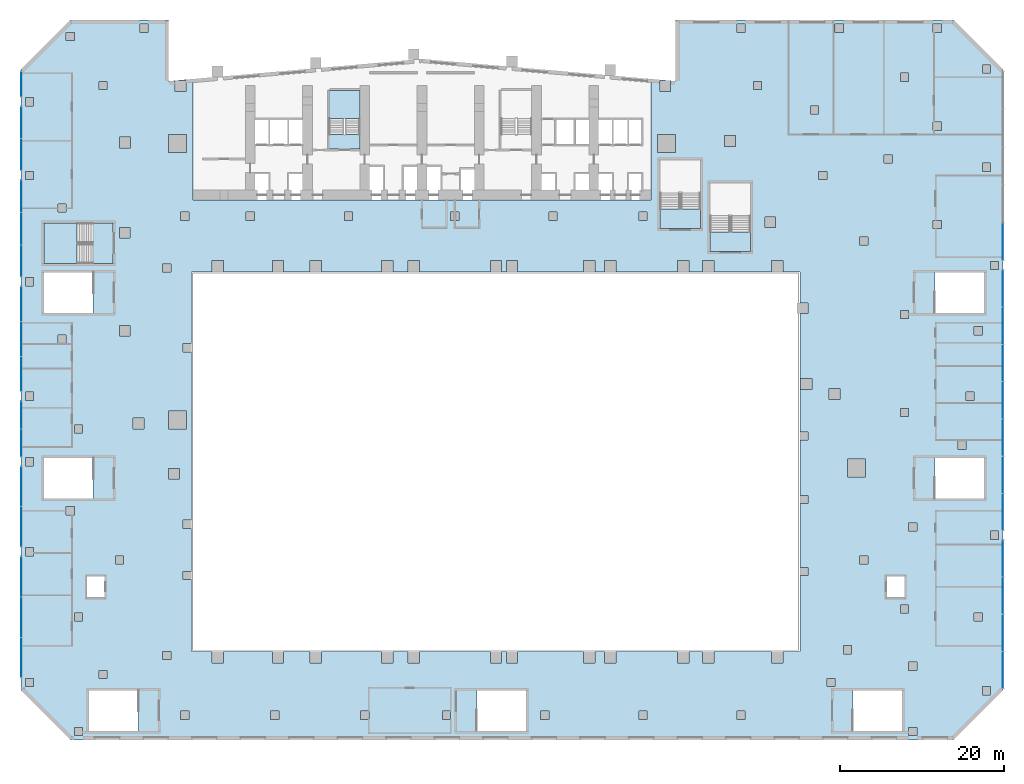
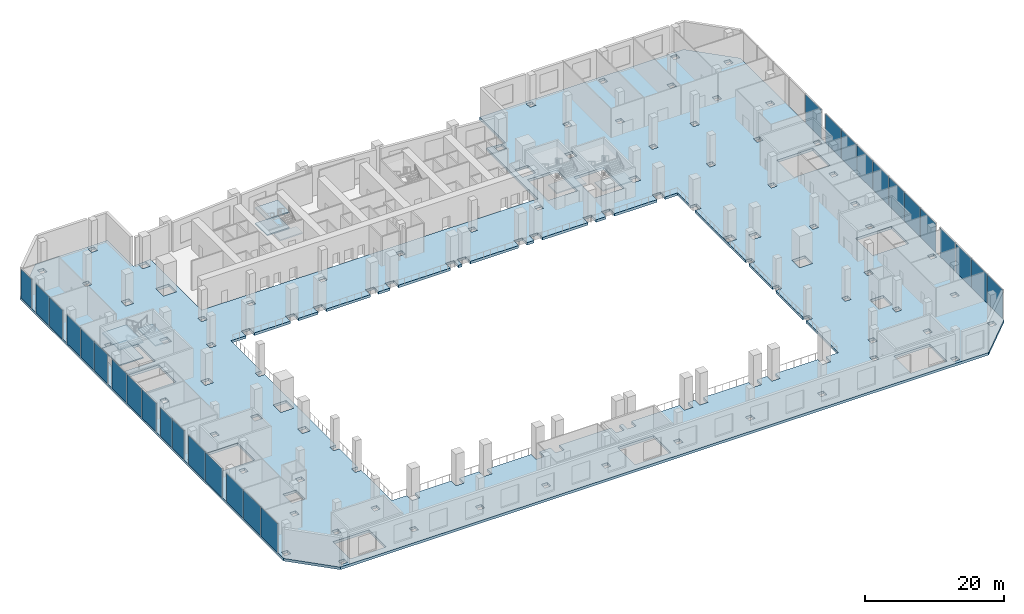
# One storey, part 8 of 25: 28 plates, 9 slabs, 14 elements without a shape of their own.
"""IFC4 building model written with IfcOpenShell, lengths in metres."""

from ifc_helpers import new_model, si_unit, direction, frame, origin, origin_2d, place, context, subcontext, project, spatial, polyline, rectangle, outline, extrude, material, layer, layer_set, type_object, element, aggregate, save


model = new_model("IFC4")

# Units and contexts
model_context = context("Model", 3, precision=1e-05, world=origin(), true_north=direction((0.0, 1.0)))
body_context = subcontext(model_context, "Body", "Model", "MODEL_VIEW")
ifc_project = project(units=[si_unit("LENGTHUNIT", "METRE"), si_unit("AREAUNIT", "SQUARE_METRE"), si_unit("VOLUMEUNIT", "CUBIC_METRE"), si_unit("PLANEANGLEUNIT", "RADIAN"), si_unit("MASSUNIT", "GRAM", prefix="KILO")], contexts=[model_context])

# Site, building, storey
site_placement = place(None, origin())
site = spatial("IfcSite", under=ifc_project, at=site_placement, CompositionType="ELEMENT")
building_placement = place(site_placement, origin())
building = spatial("IfcBuilding", under=site, at=building_placement, Name="Wharfspan Tower", CompositionType="ELEMENT")
storey_placement = place(building_placement, frame((0.0, 0.0, 27.5)))
storey = spatial("IfcBuildingStorey", under=building, at=storey_placement, Name="L04", CompositionType="ELEMENT", Elevation=27.5)

# Curtain wall, plates
ifc_material_1 = material(Name="Aluminium 6063-T6", Category="aluminium")
curtain_wall_type = type_object("IfcCurtainWallType", Name="CURTAIN WALL ARENA STICK WALL", PredefinedType="NOTDEFINED", material=ifc_material_1)
curtain_wall_1_placement = place(storey_placement, origin())
curtain_wall_1 = element("IfcCurtainWall", 1, at=curtain_wall_1_placement, inside=storey, type_object=curtain_wall_type, Name="Concourse stick wall PF3.1", PredefinedType="NOTDEFINED")
ifc_material_2 = material(Name="Glass clear laminated double glazing", Category="glass")
ifc_layer_1 = layer(ifc_material_2, 0.040039)
ifc_layer_set_1 = layer_set([ifc_layer_1], Name="Glass clear laminated double glazing")
plate_type = type_object("IfcPlateType", Name="GLASS PANEL ARENA STICK WALL 40", PredefinedType="CURTAIN_PANEL", material=ifc_layer_set_1)
plate_1_placement = place(storey_placement, frame((108.0, -23.45752, 0.0), z_axis=(0.0, 0.0, 1.0), x_axis=(0.0, 1.0, 0.0)))
plate_1 = element("IfcPlate", 2, at=plate_1_placement, type_object=plate_type, Name="Concourse stick wall PF3.1 panel 1", PredefinedType="CURTAIN_PANEL", context=body_context, shape_type="SweptSolid", body=[
    extrude(rectangle(XDim=4.445068, YDim=0.040039, at=origin_2d()), origin(), (0.0, 0.0, 1.0), 5.110107),
])
plate_2_placement = place(storey_placement, frame((108.0, -18.925049, 0.0), z_axis=(0.0, 0.0, 1.0), x_axis=(0.0, 1.0, 0.0)))
plate_2 = element("IfcPlate", 3, at=plate_2_placement, type_object=plate_type, Name="Concourse stick wall PF3.1 panel 2", PredefinedType="CURTAIN_PANEL", context=body_context, shape_type="SweptSolid", body=[
    extrude(rectangle(XDim=4.47998, YDim=0.040039, at=origin_2d()), origin(), (0.0, 0.0, 1.0), 5.110107),
])
plate_3_placement = place(storey_placement, frame((108.0, -14.375, 0.0), z_axis=(0.0, 0.0, 1.0), x_axis=(0.0, 1.0, 0.0)))
plate_3 = element("IfcPlate", 4, at=plate_3_placement, type_object=plate_type, Name="Concourse stick wall PF3.1 panel 3", PredefinedType="CURTAIN_PANEL", context=body_context, shape_type="SweptSolid", body=[
    extrude(rectangle(XDim=4.47998, YDim=0.040039, at=origin_2d()), origin(), (0.0, 0.0, 1.0), 5.110107),
])
plate_4_placement = place(storey_placement, frame((108.0, -9.842529, 0.0), z_axis=(0.0, 0.0, 1.0), x_axis=(0.0, 1.0, 0.0)))
plate_4 = element("IfcPlate", 5, at=plate_4_placement, type_object=plate_type, Name="Concourse stick wall PF3.1 panel 4", PredefinedType="CURTAIN_PANEL", context=body_context, shape_type="SweptSolid", body=[
    extrude(rectangle(XDim=4.445068, YDim=0.040039, at=origin_2d()), origin(), (0.0, 0.0, 1.0), 5.110107),
])
aggregate(curtain_wall_1, [plate_1, plate_2, plate_3, plate_4])

curtain_wall_2_placement = place(storey_placement, origin())
curtain_wall_2 = element("IfcCurtainWall", 6, at=curtain_wall_2_placement, inside=storey, type_object=curtain_wall_type, Name="Concourse stick wall PF3.2", PredefinedType="NOTDEFINED")
plate_5_placement = place(storey_placement, frame((108.0, -4.153809, 0.0), z_axis=(0.0, 0.0, 1.0), x_axis=(0.0, 1.0, 0.0)))
plate_5 = element("IfcPlate", 7, at=plate_5_placement, type_object=plate_type, Name="Concourse stick wall PF3.2 panel 1", PredefinedType="CURTAIN_PANEL", context=body_context, shape_type="SweptSolid", body=[
    extrude(rectangle(XDim=4.452148, YDim=0.040039, at=origin_2d()), origin(), (0.0, 0.0, 1.0), 5.110107),
])
plate_6_placement = place(storey_placement, frame((108.0, 0.385742, 0.0), z_axis=(0.0, 0.0, 1.0), x_axis=(0.0, 1.0, 0.0)))
plate_6 = element("IfcPlate", 8, at=plate_6_placement, type_object=plate_type, Name="Concourse stick wall PF3.2 panel 2", PredefinedType="CURTAIN_PANEL", context=body_context, shape_type="SweptSolid", body=[
    extrude(rectangle(XDim=4.487061, YDim=0.040039, at=origin_2d()), origin(), (0.0, 0.0, 1.0), 5.110107),
])
plate_7_placement = place(storey_placement, frame((108.0, 4.942871, 0.0), z_axis=(0.0, 0.0, 1.0), x_axis=(0.0, 1.0, 0.0)))
plate_7 = element("IfcPlate", 9, at=plate_7_placement, type_object=plate_type, Name="Concourse stick wall PF3.2 panel 3", PredefinedType="CURTAIN_PANEL", context=body_context, shape_type="SweptSolid", body=[
    extrude(rectangle(XDim=4.487061, YDim=0.040039, at=origin_2d()), origin(), (0.0, 0.0, 1.0), 5.110107),
])
plate_8_placement = place(storey_placement, frame((108.0, 9.5, 0.0), z_axis=(0.0, 0.0, 1.0), x_axis=(0.0, 1.0, 0.0)))
plate_8 = element("IfcPlate", 10, at=plate_8_placement, type_object=plate_type, Name="Concourse stick wall PF3.2 panel 4", PredefinedType="CURTAIN_PANEL", context=body_context, shape_type="SweptSolid", body=[
    extrude(rectangle(XDim=4.487061, YDim=0.040039, at=origin_2d()), origin(), (0.0, 0.0, 1.0), 5.110107),
])
plate_9_placement = place(storey_placement, frame((108.0, 14.057129, 0.0), z_axis=(0.0, 0.0, 1.0), x_axis=(0.0, 1.0, 0.0)))
plate_9 = element("IfcPlate", 11, at=plate_9_placement, type_object=plate_type, Name="Concourse stick wall PF3.2 panel 5", PredefinedType="CURTAIN_PANEL", context=body_context, shape_type="SweptSolid", body=[
    extrude(rectangle(XDim=4.487061, YDim=0.040039, at=origin_2d()), origin(), (0.0, 0.0, 1.0), 5.110107),
])
plate_10_placement = place(storey_placement, frame((108.0, 18.614258, 0.0), z_axis=(0.0, 0.0, 1.0), x_axis=(0.0, 1.0, 0.0)))
plate_10 = element("IfcPlate", 12, at=plate_10_placement, type_object=plate_type, Name="Concourse stick wall PF3.2 panel 6", PredefinedType="CURTAIN_PANEL", context=body_context, shape_type="SweptSolid", body=[
    extrude(rectangle(XDim=4.487061, YDim=0.040039, at=origin_2d()), origin(), (0.0, 0.0, 1.0), 5.110107),
])
plate_11_placement = place(storey_placement, frame((108.0, 23.153809, 0.0), z_axis=(0.0, 0.0, 1.0), x_axis=(0.0, 1.0, 0.0)))
plate_11 = element("IfcPlate", 13, at=plate_11_placement, type_object=plate_type, Name="Concourse stick wall PF3.2 panel 7", PredefinedType="CURTAIN_PANEL", context=body_context, shape_type="SweptSolid", body=[
    extrude(rectangle(XDim=4.452148, YDim=0.040039, at=origin_2d()), origin(), (0.0, 0.0, 1.0), 5.110107),
])
aggregate(curtain_wall_2, [plate_5, plate_6, plate_7, plate_8, plate_9, plate_10, plate_11])

# Curtain wall, plate
curtain_wall_3_placement = place(storey_placement, origin())
curtain_wall_3 = element("IfcCurtainWall", 14, at=curtain_wall_3_placement, inside=storey, type_object=curtain_wall_type, Name="Concourse stick wall PF3.3", PredefinedType="NOTDEFINED")
plate_12_placement = place(storey_placement, frame((108.0, 28.887451, 0.0), z_axis=(0.0, 0.0, 1.0), x_axis=(0.0, 1.0, 0.0)))
plate_12 = element("IfcPlate", 15, at=plate_12_placement, type_object=plate_type, Name="Concourse stick wall PF3.3 panel 1", PredefinedType="CURTAIN_PANEL", context=body_context, shape_type="SweptSolid", body=[
    extrude(rectangle(XDim=4.534912, YDim=0.040039, at=origin_2d()), origin(), (0.0, 0.0, 1.0), 5.110107),
])
aggregate(curtain_wall_3, [plate_12])

curtain_wall_4_placement = place(storey_placement, origin())
curtain_wall_4 = element("IfcCurtainWall", 16, at=curtain_wall_4_placement, inside=storey, type_object=curtain_wall_type, Name="Concourse stick wall PF12.1", PredefinedType="NOTDEFINED")
plate_13_placement = place(storey_placement, frame((-12.0, 48.149902, 0.0), z_axis=(0.0, 0.0, 1.0), x_axis=(0.0, -1.0, 0.0)))
plate_13 = element("IfcPlate", 17, at=plate_13_placement, type_object=plate_type, Name="Concourse stick wall PF12.1 panel 1", PredefinedType="CURTAIN_PANEL", context=body_context, shape_type="SweptSolid", body=[
    extrude(rectangle(XDim=3.060059, YDim=0.040039, at=origin_2d()), origin(), (0.0, 0.0, 1.0), 5.110107),
])
aggregate(curtain_wall_4, [plate_13])

# Curtain wall, plates
curtain_wall_5_placement = place(storey_placement, origin())
curtain_wall_5 = element("IfcCurtainWall", 18, at=curtain_wall_5_placement, inside=storey, type_object=curtain_wall_type, Name="Concourse stick wall PF12.2", PredefinedType="NOTDEFINED")
plate_14_placement = place(storey_placement, frame((-12.0, 43.45752, 0.0), z_axis=(0.0, 0.0, 1.0), x_axis=(0.0, -1.0, 0.0)))
plate_14 = element("IfcPlate", 19, at=plate_14_placement, type_object=plate_type, Name="Concourse stick wall PF12.2 panel 1", PredefinedType="CURTAIN_PANEL", context=body_context, shape_type="SweptSolid", body=[
    extrude(rectangle(XDim=3.844971, YDim=0.040039, at=origin_2d()), origin(), (0.0, 0.0, 1.0), 5.110107),
])
plate_15_placement = place(storey_placement, frame((-12.0, 39.54248, 0.0), z_axis=(0.0, 0.0, 1.0), x_axis=(0.0, -1.0, 0.0)))
plate_15 = element("IfcPlate", 20, at=plate_15_placement, type_object=plate_type, Name="Concourse stick wall PF12.2 panel 2", PredefinedType="CURTAIN_PANEL", context=body_context, shape_type="SweptSolid", body=[
    extrude(rectangle(XDim=3.844971, YDim=0.040039, at=origin_2d()), origin(), (0.0, 0.0, 1.0), 5.110107),
])
aggregate(curtain_wall_5, [plate_14, plate_15])

curtain_wall_6_placement = place(storey_placement, origin())
curtain_wall_6 = element("IfcCurtainWall", 21, at=curtain_wall_6_placement, inside=storey, type_object=curtain_wall_type, Name="Concourse stick wall PF12.3", PredefinedType="NOTDEFINED")
plate_16_placement = place(storey_placement, frame((-12.0, 34.449219, 0.0), z_axis=(0.0, 0.0, 1.0), x_axis=(0.0, -1.0, 0.0)))
plate_16 = element("IfcPlate", 22, at=plate_16_placement, type_object=plate_type, Name="Concourse stick wall PF12.3 panel 1", PredefinedType="CURTAIN_PANEL", context=body_context, shape_type="SweptSolid", body=[
    extrude(rectangle(XDim=3.861572, YDim=0.040039, at=origin_2d()), origin(), (0.0, 0.0, 1.0), 5.110107),
])
plate_17_placement = place(storey_placement, frame((-12.0, 30.5, 0.0), z_axis=(0.0, 0.0, 1.0), x_axis=(0.0, -1.0, 0.0)))
plate_17 = element("IfcPlate", 23, at=plate_17_placement, type_object=plate_type, Name="Concourse stick wall PF12.3 panel 2", PredefinedType="CURTAIN_PANEL", context=body_context, shape_type="SweptSolid", body=[
    extrude(rectangle(XDim=3.896729, YDim=0.040039, at=origin_2d()), origin(), (0.0, 0.0, 1.0), 5.110107),
])
plate_18_placement = place(storey_placement, frame((-12.0, 26.550781, 0.0), z_axis=(0.0, 0.0, 1.0), x_axis=(0.0, -1.0, 0.0)))
plate_18 = element("IfcPlate", 24, at=plate_18_placement, type_object=plate_type, Name="Concourse stick wall PF12.3 panel 3", PredefinedType="CURTAIN_PANEL", context=body_context, shape_type="SweptSolid", body=[
    extrude(rectangle(XDim=3.861572, YDim=0.040039, at=origin_2d()), origin(), (0.0, 0.0, 1.0), 5.110107),
])
aggregate(curtain_wall_6, [plate_16, plate_17, plate_18])

curtain_wall_7_placement = place(storey_placement, origin())
curtain_wall_7 = element("IfcCurtainWall", 25, at=curtain_wall_7_placement, inside=storey, type_object=curtain_wall_type, Name="Concourse stick wall PF12.4", PredefinedType="NOTDEFINED")
plate_19_placement = place(storey_placement, frame((-12.0, 21.282471, 0.0), z_axis=(0.0, 0.0, 1.0), x_axis=(0.0, -1.0, 0.0)))
plate_19 = element("IfcPlate", 26, at=plate_19_placement, type_object=plate_type, Name="Concourse stick wall PF12.4 panel 1", PredefinedType="CURTAIN_PANEL", context=body_context, shape_type="SweptSolid", body=[
    extrude(rectangle(XDim=4.195068, YDim=0.040039, at=origin_2d()), origin(), (0.0, 0.0, 1.0), 5.110107),
])
plate_20_placement = place(storey_placement, frame((-12.0, 17.0, 0.0), z_axis=(0.0, 0.0, 1.0), x_axis=(0.0, -1.0, 0.0)))
plate_20 = element("IfcPlate", 27, at=plate_20_placement, type_object=plate_type, Name="Concourse stick wall PF12.4 panel 2", PredefinedType="CURTAIN_PANEL", context=body_context, shape_type="SweptSolid", body=[
    extrude(rectangle(XDim=4.22998, YDim=0.040039, at=origin_2d()), origin(), (0.0, 0.0, 1.0), 5.110107),
])
plate_21_placement = place(storey_placement, frame((-12.0, 12.717529, 0.0), z_axis=(0.0, 0.0, 1.0), x_axis=(0.0, -1.0, 0.0)))
plate_21 = element("IfcPlate", 28, at=plate_21_placement, type_object=plate_type, Name="Concourse stick wall PF12.4 panel 3", PredefinedType="CURTAIN_PANEL", context=body_context, shape_type="SweptSolid", body=[
    extrude(rectangle(XDim=4.195068, YDim=0.040039, at=origin_2d()), origin(), (0.0, 0.0, 1.0), 5.110107),
])
aggregate(curtain_wall_7, [plate_19, plate_20, plate_21])

curtain_wall_8_placement = place(storey_placement, origin())
curtain_wall_8 = element("IfcCurtainWall", 29, at=curtain_wall_8_placement, inside=storey, type_object=curtain_wall_type, Name="Concourse stick wall PF12.5", PredefinedType="NOTDEFINED")
plate_22_placement = place(storey_placement, frame((-12.0, 7.70752, 0.0), z_axis=(0.0, 0.0, 1.0), x_axis=(0.0, -1.0, 0.0)))
plate_22 = element("IfcPlate", 30, at=plate_22_placement, type_object=plate_type, Name="Concourse stick wall PF12.5 panel 1", PredefinedType="CURTAIN_PANEL", context=body_context, shape_type="SweptSolid", body=[
    extrude(rectangle(XDim=3.344971, YDim=0.040039, at=origin_2d()), origin(), (0.0, 0.0, 1.0), 5.110107),
])
plate_23_placement = place(storey_placement, frame((-12.0, 4.29248, 0.0), z_axis=(0.0, 0.0, 1.0), x_axis=(0.0, -1.0, 0.0)))
plate_23 = element("IfcPlate", 31, at=plate_23_placement, type_object=plate_type, Name="Concourse stick wall PF12.5 panel 2", PredefinedType="CURTAIN_PANEL", context=body_context, shape_type="SweptSolid", body=[
    extrude(rectangle(XDim=3.344971, YDim=0.040039, at=origin_2d()), origin(), (0.0, 0.0, 1.0), 5.110107),
])
aggregate(curtain_wall_8, [plate_22, plate_23])

curtain_wall_9_placement = place(storey_placement, origin())
curtain_wall_9 = element("IfcCurtainWall", 32, at=curtain_wall_9_placement, inside=storey, type_object=curtain_wall_type, Name="Concourse stick wall PF12.6", PredefinedType="NOTDEFINED")
plate_24_placement = place(storey_placement, frame((-12.0, -1.04248, 0.0), z_axis=(0.0, 0.0, 1.0), x_axis=(0.0, -1.0, 0.0)))
plate_24 = element("IfcPlate", 33, at=plate_24_placement, type_object=plate_type, Name="Concourse stick wall PF12.6 panel 1", PredefinedType="CURTAIN_PANEL", context=body_context, shape_type="SweptSolid", body=[
    extrude(rectangle(XDim=4.844971, YDim=0.040039, at=origin_2d()), origin(), (0.0, 0.0, 1.0), 5.110107),
])
plate_25_placement = place(storey_placement, frame((-12.0, -5.95752, 0.0), z_axis=(0.0, 0.0, 1.0), x_axis=(0.0, -1.0, 0.0)))
plate_25 = element("IfcPlate", 34, at=plate_25_placement, type_object=plate_type, Name="Concourse stick wall PF12.6 panel 2", PredefinedType="CURTAIN_PANEL", context=body_context, shape_type="SweptSolid", body=[
    extrude(rectangle(XDim=4.844971, YDim=0.040039, at=origin_2d()), origin(), (0.0, 0.0, 1.0), 5.110107),
])
aggregate(curtain_wall_9, [plate_24, plate_25])

curtain_wall_10_placement = place(storey_placement, origin())
curtain_wall_10 = element("IfcCurtainWall", 35, at=curtain_wall_10_placement, inside=storey, type_object=curtain_wall_type, Name="Concourse stick wall PF12.7", PredefinedType="NOTDEFINED")
plate_26_placement = place(storey_placement, frame((-12.0, -12.050781, 0.0), z_axis=(0.0, 0.0, 1.0), x_axis=(0.0, -1.0, 0.0)))
plate_26 = element("IfcPlate", 36, at=plate_26_placement, type_object=plate_type, Name="Concourse stick wall PF12.7 panel 1", PredefinedType="CURTAIN_PANEL", context=body_context, shape_type="SweptSolid", body=[
    extrude(rectangle(XDim=4.861572, YDim=0.040039, at=origin_2d()), origin(), (0.0, 0.0, 1.0), 5.110107),
])
plate_27_placement = place(storey_placement, frame((-12.0, -17.0, 0.0), z_axis=(0.0, 0.0, 1.0), x_axis=(0.0, -1.0, 0.0)))
plate_27 = element("IfcPlate", 37, at=plate_27_placement, type_object=plate_type, Name="Concourse stick wall PF12.7 panel 2", PredefinedType="CURTAIN_PANEL", context=body_context, shape_type="SweptSolid", body=[
    extrude(rectangle(XDim=4.896729, YDim=0.040039, at=origin_2d()), origin(), (0.0, 0.0, 1.0), 5.110107),
])
plate_28_placement = place(storey_placement, frame((-12.0, -21.949219, 0.0), z_axis=(0.0, 0.0, 1.0), x_axis=(0.0, -1.0, 0.0)))
plate_28 = element("IfcPlate", 38, at=plate_28_placement, type_object=plate_type, Name="Concourse stick wall PF12.7 panel 3", PredefinedType="CURTAIN_PANEL", context=body_context, shape_type="SweptSolid", body=[
    extrude(rectangle(XDim=4.861572, YDim=0.040039, at=origin_2d()), origin(), (0.0, 0.0, 1.0), 5.110107),
])
aggregate(curtain_wall_10, [plate_26, plate_27, plate_28])

# Slab
ifc_material_3 = material(Name="Concrete C35/45", Category="concrete")
ifc_layer_2 = layer(ifc_material_3, 0.449951)
ifc_layer_set_2 = layer_set([ifc_layer_2], Name="Concrete C35/45")
slab_type_1 = type_object("IfcSlabType", Name="Podium deck 450", PredefinedType="FLOOR", material=ifc_layer_set_2)
slab_1_placement = place(storey_placement, frame((0.0, 0.0, -0.450195)))
element("IfcSlab", 39, at=slab_1_placement, inside=storey, type_object=slab_type_1, Name="Deck L04", PredefinedType="FLOOR", context=body_context, shape_type="SweptSolid", body=[
    extrude(outline(polyline([(6.0, 56.0), (6.0, 48.524902), (12.0, 49.049805), (12.0, 49.049805), (9.0, 48.787354), (9.0, 34.0), (65.0, 34.0), (65.0, 48.787354), (60.0, 49.224854), (60.0, 49.224854), (68.0, 48.524902), (68.0, 56.0), (102.0, 56.0), (108.0, 50.0), (108.0, -26.0), (102.0, -32.0), (-6.0, -32.0), (-12.0, -26.0), (-12.0, 50.0), (-6.0, 56.0), (6.0, 56.0)]), holes=[polyline([(11.300049, -21.199951), (11.300049, -22.600098), (12.699951, -22.600098), (12.699951, -21.199951), (18.690918, -21.199951), (18.690918, -22.600098), (20.091064, -22.600098), (20.091064, -21.199951), (23.300049, -21.199951), (23.300049, -22.600098), (24.699951, -22.600098), (24.699951, -21.199951), (32.023926, -21.199951), (32.023926, -22.600098), (33.424072, -22.600098), (33.424072, -21.199951), (35.300049, -21.199951), (35.300049, -22.600098), (36.699951, -22.600098), (36.699951, -21.199951), (45.342041, -21.199951), (45.342041, -22.600098), (46.741943, -22.600098), (46.741943, -21.199951), (47.300049, -21.199951), (47.300049, -22.600098), (48.699951, -22.600098), (48.699951, -21.199951), (56.741943, -21.199951), (56.741943, -22.600098), (58.14209, -22.600098), (58.14209, -21.199951), (59.300049, -21.199951), (59.300049, -22.600098), (60.699951, -22.600098), (60.699951, -21.199951), (68.241943, -21.199951), (68.241943, -22.600098), (69.64209, -22.600098), (69.64209, -21.199951), (71.300049, -21.199951), (71.300049, -22.600098), (72.699951, -22.600098), (72.699951, -21.199951), (79.741943, -21.199951), (79.741943, -22.600098), (81.14209, -22.600098), (81.14209, -21.199951), (83.199951, -21.199951), (83.199951, -11.919922), (84.199951, -11.919922), (84.199951, -10.919922), (83.199951, -10.919922), (83.199951, -3.139893), (84.199951, -3.139893), (84.199951, -2.139893), (83.199951, -2.139893), (83.199951, 4.639893), (84.199951, 4.639893), (84.199951, 5.639893), (83.199951, 5.639893), (83.199951, 20.108398), (84.166992, 20.108398), (84.166992, 21.428223), (83.199951, 21.428223), (83.199951, 25.199951), (81.14209, 25.199951), (81.14209, 26.600098), (79.741943, 26.600098), (79.741943, 25.199951), (72.699951, 25.199951), (72.699951, 26.600098), (71.300049, 26.600098), (71.300049, 25.199951), (69.64209, 25.199951), (69.64209, 26.600098), (68.241943, 26.600098), (68.241943, 25.199951), (60.699951, 25.199951), (60.699951, 26.600098), (59.300049, 26.600098), (59.300049, 25.199951), (58.14209, 25.199951), (58.14209, 26.600098), (56.741943, 26.600098), (56.741943, 25.199951), (48.699951, 25.199951), (48.699951, 26.600098), (47.300049, 26.600098), (47.300049, 25.199951), (46.741943, 25.199951), (46.741943, 26.600098), (45.342041, 26.600098), (45.342041, 25.199951), (36.699951, 25.199951), (36.699951, 26.600098), (35.300049, 26.600098), (35.300049, 25.199951), (33.424072, 25.199951), (33.424072, 26.600098), (32.023926, 26.600098), (32.023926, 25.199951), (24.699951, 25.199951), (24.699951, 26.600098), (23.300049, 26.600098), (23.300049, 25.199951), (20.091064, 25.199951), (20.091064, 26.600098), (18.690918, 26.600098), (18.690918, 25.199951), (12.699951, 25.199951), (12.699951, 26.600098), (11.300049, 26.600098), (11.300049, 25.199951), (8.800049, 25.199951), (8.800049, 16.419922), (7.800049, 16.419922), (7.800049, 15.419922), (8.800049, 15.419922), (8.800049, -5.139893), (7.800049, -5.139893), (7.800049, -6.139893), (8.800049, -6.139893), (8.800049, -11.419922), (7.800049, -11.419922), (7.800049, -12.419922), (8.800049, -12.419922), (8.800049, -21.199951), (11.300049, -21.199951)]), polyline([(-3.699951, -25.949951), (-3.699951, -30.899902), (2.300049, -30.899902), (2.300049, -25.949951), (-3.699951, -25.949951)]), polyline([(49.699951, -25.949951), (43.699951, -25.949951), (43.699951, -30.899902), (49.699951, -30.899902), (49.699951, -25.949951)]), polyline([(-1.800049, -12.0), (-4.0, -12.0), (-4.0, -14.600098), (-1.800049, -14.600098), (-1.800049, -12.0)]), polyline([(-9.199951, 2.449951), (-9.199951, -2.5), (-3.199951, -2.5), (-3.199951, 2.449951), (-9.199951, 2.449951)]), polyline([(-3.199951, 25.149902), (-9.199951, 25.149902), (-9.199951, 20.199951), (-3.199951, 20.199951), (-3.199951, 25.149902)]), polyline([(-3.199951, 31.175049), (-9.199951, 31.175049), (-9.199951, 26.225098), (-3.199951, 26.225098), (-3.199951, 31.175049)]), polyline([(89.699951, -25.949951), (89.699951, -30.899902), (95.699951, -30.899902), (95.699951, -25.949951), (89.699951, -25.949951)]), polyline([(96.0, -12.0), (93.800049, -12.0), (93.800049, -14.600098), (96.0, -14.600098), (96.0, -12.0)]), polyline([(105.699951, 2.449951), (99.699951, 2.449951), (99.699951, -2.5), (105.699951, -2.5), (105.699951, 2.449951)]), polyline([(99.699951, 25.149902), (99.699951, 20.199951), (105.699951, 20.199951), (105.699951, 25.149902), (99.699951, 25.149902)]), polyline([(77.16748, 36.100098), (72.217529, 36.100098), (72.217529, 30.100098), (77.16748, 30.100098), (77.16748, 36.100098)]), polyline([(71.050049, 38.899902), (66.100098, 38.899902), (66.100098, 32.899902), (71.050049, 32.899902), (71.050049, 38.899902)]), polyline([(-5.5, -31.5), (-4.5, -31.5), (-4.5, -30.5), (-5.5, -30.5), (-5.5, -31.5)]), polyline([(-11.5, -24.5), (-11.5, -25.5), (-10.5, -25.5), (-10.5, -24.5), (-11.5, -24.5)]), polyline([(-2.5, -23.5), (-2.5, -24.5), (-1.5, -24.5), (-1.5, -23.5), (-2.5, -23.5)]), polyline([(5.300049, -21.199951), (5.300049, -22.199951), (6.300049, -22.199951), (6.300049, -21.199951), (5.300049, -21.199951)]), polyline([(-5.5, -16.5), (-5.5, -17.5), (-4.5, -17.5), (-4.5, -16.5), (-5.5, -16.5)]), polyline([(-0.5, -9.5), (-0.5, -10.5), (0.5, -10.5), (0.5, -9.5), (-0.5, -9.5)]), polyline([(-11.5, -8.5), (-11.5, -9.5), (-10.5, -9.5), (-10.5, -8.5), (-11.5, -8.5)]), polyline([(-6.5, -4.5), (-5.5, -4.5), (-5.5, -3.5), (-6.5, -3.5), (-6.5, -4.5)]), polyline([(6.034424, 1.188721), (6.034424, -0.131348), (7.354492, -0.131348), (7.354492, 1.188721), (6.034424, 1.188721)]), polyline([(-11.5, 2.5), (-11.5, 1.5), (-10.5, 1.5), (-10.5, 2.5), (-11.5, 2.5)]), polyline([(-5.5, 6.5), (-5.5, 5.5), (-4.5, 5.5), (-4.5, 6.5), (-5.5, 6.5)]), polyline([(1.671631, 7.327393), (1.671631, 6.007324), (2.991699, 6.007324), (2.991699, 7.327393), (1.671631, 7.327393)]), polyline([(6.0, 8.199951), (6.0, 6.0), (8.199951, 6.0), (8.199951, 8.199951), (6.0, 8.199951)]), polyline([(-11.5, 10.5), (-11.5, 9.5), (-10.5, 9.5), (-10.5, 10.5), (-11.5, 10.5)]), polyline([(-7.5, 16.5), (-6.5, 16.5), (-6.5, 17.5), (-7.5, 17.5), (-7.5, 16.5)]), polyline([(0.0, 18.659912), (0.0, 17.340088), (1.320068, 17.340088), (1.320068, 18.659912), (0.0, 18.659912)]), polyline([(-11.5, 24.5), (-11.5, 23.5), (-10.5, 23.5), (-10.5, 24.5), (-11.5, 24.5)]), polyline([(5.300049, 26.199951), (5.300049, 25.199951), (6.300049, 25.199951), (6.300049, 26.199951), (5.300049, 26.199951)]), polyline([(0.0, 30.659912), (0.0, 29.340088), (1.320068, 29.340088), (1.320068, 30.659912), (0.0, 30.659912)]), polyline([(7.5, 32.5), (7.5, 31.5), (8.5, 31.5), (8.5, 32.5), (7.5, 32.5)]), polyline([(-7.5, 33.5), (-7.5, 32.5), (-6.5, 32.5), (-6.5, 33.5), (-7.5, 33.5)]), polyline([(-11.5, 36.5), (-10.5, 36.5), (-10.5, 37.5), (-11.5, 37.5), (-11.5, 36.5)]), polyline([(6.0, 42.0), (6.0, 39.800049), (8.199951, 39.800049), (8.199951, 42.0), (6.0, 42.0)]), polyline([(0.024902, 41.694092), (0.024902, 40.374268), (1.344727, 40.374268), (1.344727, 41.694092), (0.024902, 41.694092)]), polyline([(-11.5, 46.5), (-11.5, 45.5), (-10.5, 45.5), (-10.5, 46.5), (-11.5, 46.5)]), polyline([(6.806396, 48.59375), (6.806396, 47.273682), (8.126465, 47.273682), (8.126465, 48.59375), (6.806396, 48.59375)]), polyline([(-2.5, 48.5), (-2.5, 47.5), (-1.5, 47.5), (-1.5, 48.5), (-2.5, 48.5)]), polyline([(-6.5, 54.5), (-6.5, 53.5), (-5.5, 53.5), (-5.5, 54.5), (-6.5, 54.5)]), polyline([(2.5, 54.5), (3.5, 54.5), (3.5, 55.5), (2.5, 55.5), (2.5, 54.5)]), polyline([(7.5, -28.5), (7.5, -29.5), (8.5, -29.5), (8.5, -28.5), (7.5, -28.5)]), polyline([(51.5, -28.5), (51.5, -29.5), (52.5, -29.5), (52.5, -28.5), (51.5, -28.5)]), polyline([(39.5, -28.5), (39.5, -29.5), (40.5, -29.5), (40.5, -28.5), (39.5, -28.5)]), polyline([(18.5, -28.5), (18.5, -29.5), (19.5, -29.5), (19.5, -28.5), (18.5, -28.5)]), polyline([(29.5, -28.5), (29.5, -29.5), (30.5, -29.5), (30.5, -28.5), (29.5, -28.5)]), polyline([(27.5, 32.5), (27.5, 31.5), (28.5, 31.5), (28.5, 32.5), (27.5, 32.5)]), polyline([(15.5, 32.5), (15.5, 31.5), (16.5, 31.5), (16.5, 32.5), (15.5, 32.5)]), polyline([(40.5, 32.5), (40.5, 31.5), (41.5, 31.5), (41.5, 32.5), (40.5, 32.5)]), polyline([(75.5, -28.5), (75.5, -29.5), (76.5, -29.5), (76.5, -28.5), (75.5, -28.5)]), polyline([(63.5, -28.5), (63.5, -29.5), (64.5, -29.5), (64.5, -28.5), (63.5, -28.5)]), polyline([(86.5, -24.5), (86.5, -25.5), (87.5, -25.5), (87.5, -24.5), (86.5, -24.5)]), polyline([(83.300049, 12.199951), (83.300049, 10.800049), (84.699951, 10.800049), (84.699951, 12.199951), (83.300049, 12.199951)]), polyline([(78.909424, 31.928223), (78.909424, 30.608398), (80.229492, 30.608398), (80.229492, 31.928223), (78.909424, 31.928223)]), polyline([(52.5, 31.5), (53.5, 31.5), (53.5, 32.5), (52.5, 32.5), (52.5, 31.5)]), polyline([(63.5, 32.5), (63.5, 31.5), (64.5, 31.5), (64.5, 32.5), (63.5, 32.5)]), polyline([(85.5, 37.5), (85.5, 36.5), (86.5, 36.5), (86.5, 37.5), (85.5, 37.5)]), polyline([(65.800049, 42.0), (65.800049, 39.800049), (68.0, 39.800049), (68.0, 42.0), (65.800049, 42.0)]), polyline([(73.974365, 41.856201), (73.974365, 40.536377), (75.294434, 40.536377), (75.294434, 41.856201), (73.974365, 41.856201)]), polyline([(84.5, 45.5), (84.5, 44.5), (85.5, 44.5), (85.5, 45.5), (84.5, 45.5)]), polyline([(66.087646, 48.575195), (66.087646, 47.255371), (67.407715, 47.255371), (67.407715, 48.575195), (66.087646, 48.575195)]), polyline([(77.5, 47.5), (78.5, 47.5), (78.5, 48.5), (77.5, 48.5), (77.5, 47.5)]), polyline([(75.5, 55.5), (75.5, 54.5), (76.5, 54.5), (76.5, 55.5), (75.5, 55.5)]), polyline([(96.5, -30.5), (96.5, -31.5), (97.5, -31.5), (97.5, -30.5), (96.5, -30.5)]), polyline([(105.5, -25.5), (105.5, -26.5), (106.5, -26.5), (106.5, -25.5), (105.5, -25.5)]), polyline([(96.5, -22.5), (96.5, -23.5), (97.5, -23.5), (97.5, -22.5), (96.5, -22.5)]), polyline([(88.5, -20.5), (88.5, -21.5), (89.5, -21.5), (89.5, -20.5), (88.5, -20.5)]), polyline([(104.5, -17.5), (105.5, -17.5), (105.5, -16.5), (104.5, -16.5), (104.5, -17.5)]), polyline([(95.5, -15.5), (95.5, -16.5), (96.5, -16.5), (96.5, -15.5), (95.5, -15.5)]), polyline([(90.5, -9.5), (90.5, -10.5), (91.5, -10.5), (91.5, -9.5), (90.5, -9.5)]), polyline([(106.5, -6.5), (106.5, -7.5), (107.5, -7.5), (107.5, -6.5), (106.5, -6.5)]), polyline([(96.5, -5.5), (96.5, -6.5), (97.5, -6.5), (97.5, -5.5), (96.5, -5.5)]), polyline([(88.996582, 2.299805), (88.996582, 0.099609), (91.196533, 0.099609), (91.196533, 2.299805), (88.996582, 2.299805)]), polyline([(102.5, 4.5), (102.5, 3.5), (103.5, 3.5), (103.5, 4.5), (102.5, 4.5)]), polyline([(95.5, 7.5), (96.5, 7.5), (96.5, 8.5), (95.5, 8.5), (95.5, 7.5)]), polyline([(103.5, 10.5), (103.5, 9.5), (104.5, 9.5), (104.5, 10.5), (103.5, 10.5)]), polyline([(86.784424, 10.928223), (86.784424, 9.608398), (88.104492, 9.608398), (88.104492, 10.928223), (86.784424, 10.928223)]), polyline([(104.5, 18.5), (104.5, 17.5), (105.5, 17.5), (105.5, 18.5), (104.5, 18.5)]), polyline([(95.5, 20.5), (95.5, 19.5), (96.5, 19.5), (96.5, 20.5), (95.5, 20.5)]), polyline([(106.5, 26.5), (106.5, 25.5), (107.5, 25.5), (107.5, 26.5), (106.5, 26.5)]), polyline([(90.5, 29.5), (90.5, 28.5), (91.5, 28.5), (91.5, 29.5), (90.5, 29.5)]), polyline([(99.5, 31.5), (99.5, 30.5), (100.5, 30.5), (100.5, 31.5), (99.5, 31.5)]), polyline([(105.5, 38.5), (105.5, 37.5), (106.5, 37.5), (106.5, 38.5), (105.5, 38.5)]), polyline([(93.5, 39.5), (93.5, 38.5), (94.5, 38.5), (94.5, 39.5), (93.5, 39.5)]), polyline([(99.5, 43.5), (99.5, 42.5), (100.5, 42.5), (100.5, 43.5), (99.5, 43.5)]), polyline([(95.5, 49.5), (95.5, 48.5), (96.5, 48.5), (96.5, 49.5), (95.5, 49.5)]), polyline([(105.5, 50.5), (105.5, 49.5), (106.5, 49.5), (106.5, 50.5), (105.5, 50.5)]), polyline([(99.5, 55.5), (99.5, 54.5), (100.5, 54.5), (100.5, 55.5), (99.5, 55.5)]), polyline([(87.5, 55.5), (87.5, 54.5), (88.5, 54.5), (88.5, 55.5), (87.5, 55.5)])]), origin(), (0.0, 0.0, 1.0), 0.450195),
])

# Stair, slabs
ifc_material_4 = material(Name="Concrete C40/50", Category="concrete")
stair_type_1 = type_object("IfcStairType", Name="Half-turn stair 2400 wide 32 risers 172 mm", PredefinedType="HALF_TURN_STAIR", material=ifc_material_4)
stair_1_placement = place(storey_placement, origin())
stair_1 = element("IfcStair", 40, at=stair_1_placement, inside=storey, type_object=stair_type_1, Name="L04 stair PS3", PredefinedType="HALF_TURN_STAIR")
ifc_layer_3 = layer(ifc_material_4, 0.199951)
ifc_layer_set_3 = layer_set([ifc_layer_3], Name="Concrete C40/50")
slab_type_2 = type_object("IfcSlabType", Name="Podium stair landing 200", PredefinedType="LANDING", material=ifc_layer_set_3)
slab_2_placement = place(storey_placement, frame((0.0, 0.0, 1.174805)))
slab_2 = element("IfcSlab", 41, at=slab_2_placement, type_object=slab_type_2, Name="PS3 landing 1", PredefinedType="LANDING", context=body_context, shape_type="SweptSolid", body=[
    extrude(outline(polyline([(-5.159912, 31.175049), (-9.199951, 31.175049), (-9.199951, 26.225098), (-5.159912, 26.225098), (-5.159912, 31.175049)])), origin(), (0.0, 0.0, 1.0), 0.200195),
])
slab_3_placement = place(storey_placement, frame((0.0, 0.0, 2.549805)))
slab_3 = element("IfcSlab", 42, at=slab_3_placement, type_object=slab_type_2, Name="PS3 landing 2", PredefinedType="LANDING", context=body_context, shape_type="SweptSolid", body=[
    extrude(outline(polyline([(-0.800049, 31.175049), (-3.199951, 31.175049), (-3.199951, 26.225098), (-0.800049, 26.225098), (-0.800049, 31.175049)])), origin(), (0.0, 0.0, 1.0), 0.200195),
])
slab_4_placement = place(storey_placement, frame((0.0, 0.0, 3.924805)))
slab_4 = element("IfcSlab", 43, at=slab_4_placement, type_object=slab_type_2, Name="PS3 landing 3", PredefinedType="LANDING", context=body_context, shape_type="SweptSolid", body=[
    extrude(outline(polyline([(-5.159912, 31.175049), (-9.199951, 31.175049), (-9.199951, 26.225098), (-5.159912, 26.225098), (-5.159912, 31.175049)])), origin(), (0.0, 0.0, 1.0), 0.200195),
])
aggregate(stair_1, [slab_2, slab_3, slab_4])

# Stair, slab
stair_2_placement = place(storey_placement, origin())
stair_2 = element("IfcStair", 44, at=stair_2_placement, inside=storey, type_object=stair_type_1, Name="L04 stair PS4", PredefinedType="HALF_TURN_STAIR")
slab_5_placement = place(storey_placement, frame((0.0, 0.0, 2.549805)))
slab_5 = element("IfcSlab", 45, at=slab_5_placement, type_object=slab_type_2, Name="PS4 landing 2", PredefinedType="LANDING", context=body_context, shape_type="SweptSolid", body=[
    extrude(outline(polyline([(71.050049, 30.5), (71.050049, 32.899902), (66.100098, 32.899902), (66.100098, 30.5), (71.050049, 30.5)])), origin(), (0.0, 0.0, 1.0), 0.200195),
])
aggregate(stair_2, [slab_5])

stair_3_placement = place(storey_placement, origin())
stair_3 = element("IfcStair", 46, at=stair_3_placement, inside=storey, type_object=stair_type_1, Name="L04 stair PS5", PredefinedType="HALF_TURN_STAIR")
slab_6_placement = place(storey_placement, frame((0.0, 0.0, 2.549805)))
slab_6 = element("IfcSlab", 47, at=slab_6_placement, type_object=slab_type_2, Name="PS5 landing 2", PredefinedType="LANDING", context=body_context, shape_type="SweptSolid", body=[
    extrude(outline(polyline([(77.16748, 27.699951), (77.16748, 30.100098), (72.217529, 30.100098), (72.217529, 27.699951), (77.16748, 27.699951)])), origin(), (0.0, 0.0, 1.0), 0.200195),
])
aggregate(stair_3, [slab_6])

# Stair, slabs
stair_type_2 = type_object("IfcStairType", Name="Half-turn stair 32 risers 172 mm", PredefinedType="HALF_TURN_STAIR", material=ifc_material_4)
stair_4_placement = place(storey_placement, origin())
stair_4 = element("IfcStair", 48, at=stair_4_placement, inside=storey, type_object=stair_type_2, Name="L04 stair ST1", PredefinedType="HALF_TURN_STAIR")
ifc_layer_4 = layer(ifc_material_4, 0.199951)
ifc_layer_set_4 = layer_set([ifc_layer_4], Name="Concrete C40/50")
slab_type_3 = type_object("IfcSlabType", Name="Stair landing 200", PredefinedType="LANDING", material=ifc_layer_set_4)
slab_7_placement = place(storey_placement, frame((0.0, 0.0, 1.174805)))
slab_7 = element("IfcSlab", 49, at=slab_7_placement, type_object=slab_type_3, Name="ST1 landing 1", PredefinedType="LANDING", context=body_context, shape_type="SweptSolid", body=[
    extrude(outline(polyline([(29.399902, 43.959961), (29.399902, 47.399902), (25.649902, 47.399902), (25.649902, 43.959961), (29.399902, 43.959961)])), origin(), (0.0, 0.0, 1.0), 0.200195),
])
slab_8_placement = place(storey_placement, frame((0.0, 0.0, 2.549805)))
slab_8 = element("IfcSlab", 50, at=slab_8_placement, type_object=slab_type_3, Name="ST1 landing 2", PredefinedType="LANDING", context=body_context, shape_type="SweptSolid", body=[
    extrude(outline(polyline([(29.399902, 40.199951), (29.399902, 42.0), (25.649902, 42.0), (25.649902, 40.199951), (29.399902, 40.199951)])), origin(), (0.0, 0.0, 1.0), 0.200195),
])
slab_9_placement = place(storey_placement, frame((0.0, 0.0, 3.924805)))
slab_9 = element("IfcSlab", 51, at=slab_9_placement, type_object=slab_type_3, Name="ST1 landing 3", PredefinedType="LANDING", context=body_context, shape_type="SweptSolid", body=[
    extrude(outline(polyline([(29.399902, 43.959961), (29.399902, 47.399902), (25.649902, 47.399902), (25.649902, 43.959961), (29.399902, 43.959961)])), origin(), (0.0, 0.0, 1.0), 0.200195),
])
aggregate(stair_4, [slab_7, slab_8, slab_9])

save(model, "model.ifc")
